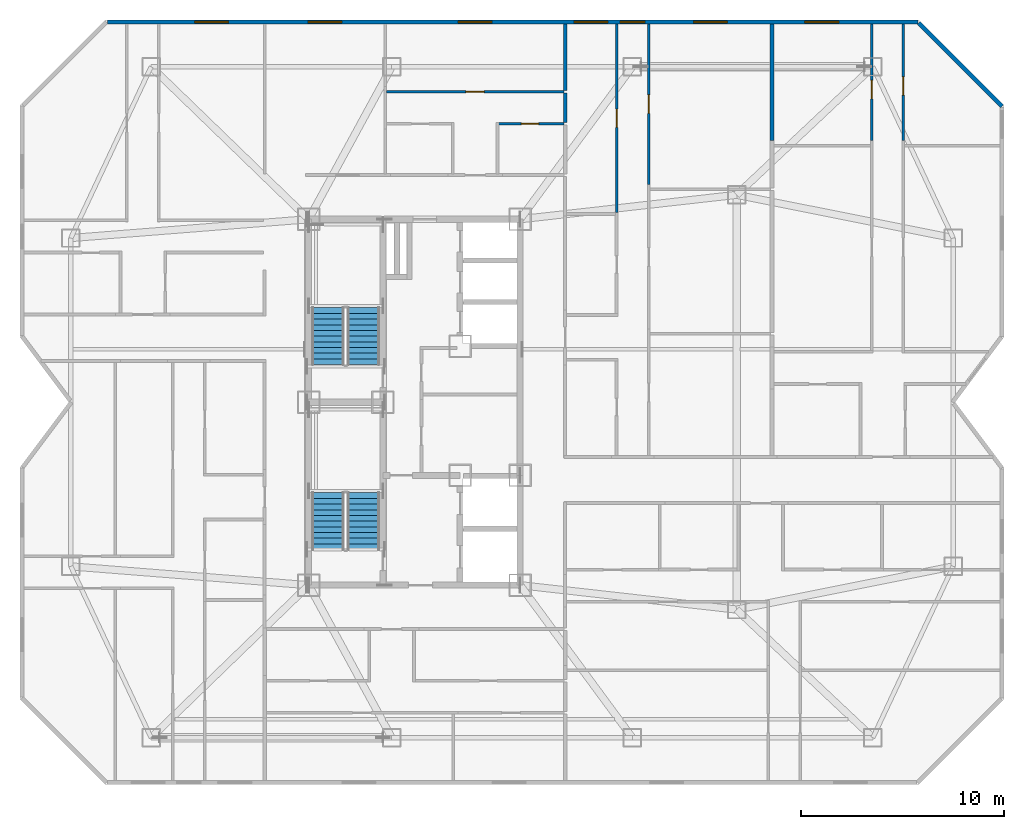
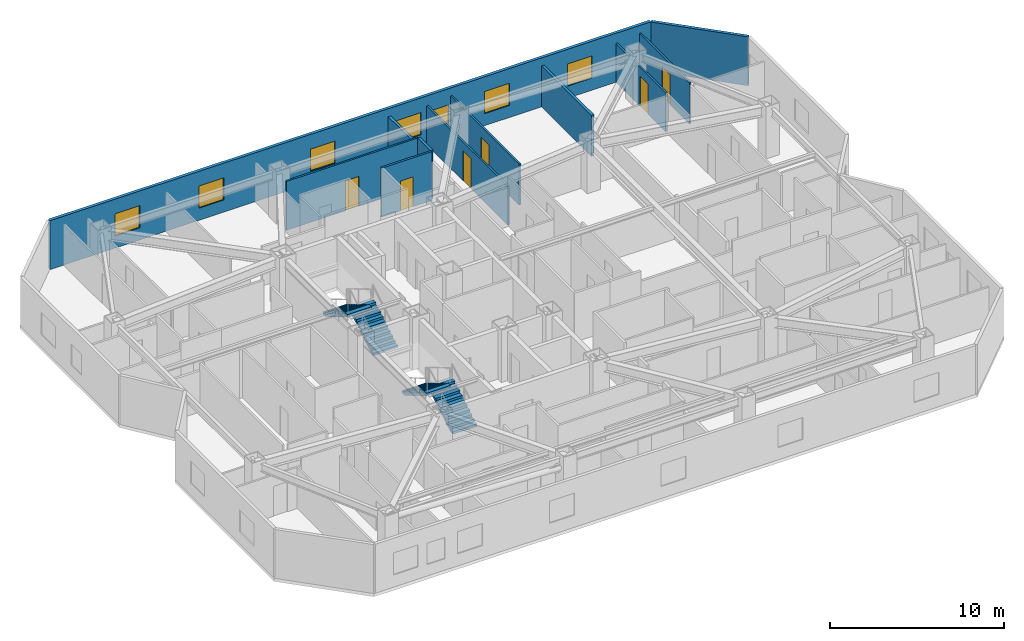
# One storey, part 10 of 11: 11 walls, 7 windows, 6 doors, 4 stair flights, 13 openings, 2 elements without a shape of their own.
"""IFC4 building model written with IfcOpenShell, lengths in metres."""

from ifc_helpers import new_model, si_unit, direction, frame, frame_2d, origin, place, context, subcontext, project, spatial, polyline, rectangle, outline, extrude, material, layer, layer_set, type_object, element, fill, aggregate, save


model = new_model("IFC4")

# Units and contexts
model_context = context("Model", 3, precision=1e-05, world=origin(), true_north=direction((0.0, 1.0)))
body_context = subcontext(model_context, "Body", "Model", "MODEL_VIEW")
ifc_project = project(units=[si_unit("LENGTHUNIT", "METRE"), si_unit("AREAUNIT", "SQUARE_METRE"), si_unit("VOLUMEUNIT", "CUBIC_METRE"), si_unit("PLANEANGLEUNIT", "RADIAN"), si_unit("MASSUNIT", "GRAM", prefix="KILO")], contexts=[model_context])

# Site, building, storey
site_placement = place(None, origin())
site = spatial("IfcSite", under=ifc_project, at=site_placement, CompositionType="ELEMENT")
building_placement = place(site_placement, origin())
building = spatial("IfcBuilding", under=site, at=building_placement, Name="Khamvora Tower", CompositionType="ELEMENT")
storey_placement = place(building_placement, frame((0.0, 0.0, 185.10009765625)))
storey = spatial("IfcBuildingStorey", under=building, at=storey_placement, Name="L47", CompositionType="ELEMENT", Elevation=185.10009765625)

# Walls
ifc_material_1 = material(Name="Acoustic Double-Stud Fire Wall", Category="gypsum")
ifc_layer_1 = layer(ifc_material_1, 0.179931640625)
ifc_layer_set_1 = layer_set([ifc_layer_1], Name="Acoustic Double-Stud Fire Wall")
wall_type_1 = type_object("IfcWallType", Name="WAL-CORR-180", PredefinedType="STANDARD", material=ifc_layer_set_1)
wall_1_placement = place(storey_placement, frame((41.614990234375, 43.2099609375, 0.0), z_axis=(0.0, 0.0, 1.0), x_axis=(0.0, -1.0, 0.0)))
element("IfcWall", 1, at=wall_1_placement, inside=storey, type_object=wall_type_1, Name="L47 interior partition wall 087", PredefinedType="STANDARD", context=body_context, shape_type="SweptSolid", body=[
    extrude(rectangle(XDim=1.449951171875, YDim=0.179931640625, at=frame_2d((0.72509765625, 0.0))), origin(), (0.0, 0.0, 1.0), 3.429931640625),
])
wall_2_placement = place(storey_placement, frame((41.614990234375, 46.60791015625, 0.0), z_axis=(0.0, 0.0, 1.0), x_axis=(0.0, -1.0, 0.0)))
element("IfcWall", 2, at=wall_2_placement, inside=storey, type_object=wall_type_1, Name="L47 interior partition wall 089", PredefinedType="STANDARD", context=body_context, shape_type="SweptSolid", body=[
    extrude(rectangle(XDim=3.267822265625, YDim=0.179931640625, at=frame_2d((1.6337890625, 0.0))), origin(), (0.0, 0.0, 1.0), 2.8759765625),
])
wall_3_placement = place(storey_placement, frame((51.784912109375, 46.60791015625, 0.0), z_axis=(0.0, 0.0, 1.0), x_axis=(0.0, -1.0, 0.0)))
element("IfcWall", 3, at=wall_3_placement, inside=storey, type_object=wall_type_1, Name="L47 interior partition wall 122", PredefinedType="STANDARD", context=body_context, shape_type="SweptSolid", body=[
    extrude(rectangle(XDim=5.739990234375, YDim=0.179931640625, at=frame_2d((2.8701171875, 0.0))), origin(), (0.0, 0.0, 1.0), 2.8759765625),
])

# Wall, openings, windows
ifc_material_2 = material(Name="Precast concrete C40/50", Category="concrete")
ifc_layer_2 = layer(ifc_material_2, 0.199951171875)
ifc_layer_set_2 = layer_set([ifc_layer_2], Name="Precast concrete C40/50")
wall_type_2 = type_object("IfcWallType", Name="WAL-EXT-200", PredefinedType="STANDARD", material=ifc_layer_set_2)
wall_4_placement = place(storey_placement, frame((19.10205078125, 46.699951171875, 0.0), z_axis=(0.0, 0.0, 1.0), x_axis=(1.0, 0.0, 0.0)))
wall_4 = element("IfcWall", 4, at=wall_4_placement, inside=storey, type_object=wall_type_2, Name="L47 exterior facade wall 07.1", PredefinedType="STANDARD", context=body_context, shape_type="SweptSolid", body=[
    extrude(rectangle(XDim=39.85693359375, YDim=0.199951171875, at=frame_2d((19.928466796875, 0.0))), origin(), (0.0, 0.0, 1.0), 3.429931640625),
])
opening_1_placement = place(wall_4_placement, frame((9.873046875, 0.0, 0.85009765625)))
opening_1 = element("IfcOpeningElement", 5, at=opening_1_placement, cuts=wall_4, Name="Opening WN-06", PredefinedType="OPENING", context=body_context, shape_type="SweptSolid", body=[
    extrude(rectangle(XDim=1.64990234375, YDim=1.550048828125, at=frame_2d((0.824951171875, 0.77490234375))), frame((0.0, 0.10986328125, 0.0), z_axis=(0.0, -1.0, 0.0), x_axis=(1.0, 0.0, 0.0)), (0.0, 0.0, 1.0), 0.219970703125),
])
opening_2_placement = place(wall_4_placement, frame((4.302978515625, 0.0, 0.85009765625)))
opening_2 = element("IfcOpeningElement", 6, at=opening_2_placement, cuts=wall_4, Name="Opening WN-06", PredefinedType="OPENING", context=body_context, shape_type="SweptSolid", body=[
    extrude(rectangle(XDim=1.64990234375, YDim=1.550048828125, at=frame_2d((0.824951171875, 0.77490234375))), frame((0.0, 0.10986328125, 0.0), z_axis=(0.0, -1.0, 0.0), x_axis=(1.0, 0.0, 0.0)), (0.0, 0.0, 1.0), 0.219970703125),
])
opening_3_placement = place(wall_4_placement, frame((17.262939453125, 0.0, 0.85009765625)))
opening_3 = element("IfcOpeningElement", 7, at=opening_3_placement, cuts=wall_4, Name="Opening WN-06", PredefinedType="OPENING", context=body_context, shape_type="SweptSolid", body=[
    extrude(rectangle(XDim=1.64990234375, YDim=1.550048828125, at=frame_2d((0.824951171875, 0.77490234375))), frame((0.0, 0.10986328125, 0.0), z_axis=(0.0, -1.0, 0.0), x_axis=(1.0, 0.0, 0.0)), (0.0, 0.0, 1.0), 0.219970703125),
])
opening_4_placement = place(wall_4_placement, frame((22.952880859375, 0.0, 0.85009765625)))
opening_4 = element("IfcOpeningElement", 8, at=opening_4_placement, cuts=wall_4, Name="Opening WN-06", PredefinedType="OPENING", context=body_context, shape_type="SweptSolid", body=[
    extrude(rectangle(XDim=1.64990234375, YDim=1.550048828125, at=frame_2d((0.824951171875, 0.77490234375))), frame((0.0, 0.10986328125, 0.0), z_axis=(0.0, -1.0, 0.0), x_axis=(1.0, 0.0, 0.0)), (0.0, 0.0, 1.0), 0.219970703125),
])
opening_5_placement = place(wall_4_placement, frame((25.23291015625, 0.0, 0.800048828125)))
opening_5 = element("IfcOpeningElement", 9, at=opening_5_placement, cuts=wall_4, Name="Opening WN-03", PredefinedType="OPENING", context=body_context, shape_type="SweptSolid", body=[
    extrude(rectangle(XDim=1.199951171875, YDim=1.5, at=frame_2d((0.60009765625, 0.75))), frame((0.0, 0.10986328125, 0.0), z_axis=(0.0, -1.0, 0.0), x_axis=(1.0, 0.0, 0.0)), (0.0, 0.0, 1.0), 0.219970703125),
])
opening_6_placement = place(wall_4_placement, frame((28.827880859375, 0.0, 0.85009765625)))
opening_6 = element("IfcOpeningElement", 10, at=opening_6_placement, cuts=wall_4, Name="Opening WN-06", PredefinedType="OPENING", context=body_context, shape_type="SweptSolid", body=[
    extrude(rectangle(XDim=1.64990234375, YDim=1.550048828125, at=frame_2d((0.824951171875, 0.77490234375))), frame((0.0, 0.10986328125, 0.0), z_axis=(0.0, -1.0, 0.0), x_axis=(1.0, 0.0, 0.0)), (0.0, 0.0, 1.0), 0.219970703125),
])
opening_7_placement = place(wall_4_placement, frame((34.30810546875, 0.0, 0.85009765625)))
opening_7 = element("IfcOpeningElement", 11, at=opening_7_placement, cuts=wall_4, Name="Opening WN-06", PredefinedType="OPENING", context=body_context, shape_type="SweptSolid", body=[
    extrude(rectangle(XDim=1.64990234375, YDim=1.550048828125, at=frame_2d((0.824951171875, 0.77490234375))), frame((0.0, 0.10986328125, 0.0), z_axis=(0.0, -1.0, 0.0), x_axis=(1.0, 0.0, 0.0)), (0.0, 0.0, 1.0), 0.219970703125),
])
ifc_material_3 = material(Name="Low-E Laminated Double Glazing", Category="glass")
window_type_1 = type_object("IfcWindowType", Name="WIN-VIS-1200x1500", PartitioningType="SINGLE_PANEL", PredefinedType="WINDOW", material=ifc_material_3)
window_1_placement = place(opening_5_placement, origin())
window_1 = element("IfcWindow", 12, at=window_1_placement, inside=storey, type_object=window_type_1, Name="L47 vision window 07.1.05", OverallHeight=1.5, OverallWidth=1.199951171875, PartitioningType="SINGLE_PANEL", PredefinedType="WINDOW", context=body_context, shape_type="SweptSolid", body=[
    extrude(rectangle(XDim=1.199951171875, YDim=1.5, at=frame_2d((0.60009765625, 0.75))), frame((0.0, 0.030029296875, 0.0), z_axis=(0.0, -1.0, 0.0), x_axis=(1.0, 0.0, 0.0)), (0.0, 0.0, 1.0), 0.06005859375),
])
fill(opening_5, window_1)
window_type_2 = type_object("IfcWindowType", Name="WIN-VIS-1650x1550", PartitioningType="SINGLE_PANEL", PredefinedType="WINDOW", material=ifc_material_3)
window_2_placement = place(opening_1_placement, origin())
window_2 = element("IfcWindow", 13, at=window_2_placement, inside=storey, type_object=window_type_2, Name="L47 vision window 07.1.01", OverallHeight=1.550048828125, OverallWidth=1.64990234375, PartitioningType="SINGLE_PANEL", PredefinedType="WINDOW", context=body_context, shape_type="SweptSolid", body=[
    extrude(rectangle(XDim=1.64990234375, YDim=1.550048828125, at=frame_2d((0.824951171875, 0.77490234375))), frame((0.0, 0.030029296875, 0.0), z_axis=(0.0, -1.0, 0.0), x_axis=(1.0, 0.0, 0.0)), (0.0, 0.0, 1.0), 0.06005859375),
])
fill(opening_1, window_2)
window_3_placement = place(opening_2_placement, origin())
window_3 = element("IfcWindow", 14, at=window_3_placement, inside=storey, type_object=window_type_2, Name="L47 vision window 07.1.02", OverallHeight=1.550048828125, OverallWidth=1.64990234375, PartitioningType="SINGLE_PANEL", PredefinedType="WINDOW", context=body_context, shape_type="SweptSolid", body=[
    extrude(rectangle(XDim=1.64990234375, YDim=1.550048828125, at=frame_2d((0.824951171875, 0.77490234375))), frame((0.0, 0.030029296875, 0.0), z_axis=(0.0, -1.0, 0.0), x_axis=(1.0, 0.0, 0.0)), (0.0, 0.0, 1.0), 0.06005859375),
])
fill(opening_2, window_3)
window_4_placement = place(opening_3_placement, origin())
window_4 = element("IfcWindow", 15, at=window_4_placement, inside=storey, type_object=window_type_2, Name="L47 vision window 07.1.03", OverallHeight=1.550048828125, OverallWidth=1.64990234375, PartitioningType="SINGLE_PANEL", PredefinedType="WINDOW", context=body_context, shape_type="SweptSolid", body=[
    extrude(rectangle(XDim=1.64990234375, YDim=1.550048828125, at=frame_2d((0.824951171875, 0.77490234375))), frame((0.0, 0.030029296875, 0.0), z_axis=(0.0, -1.0, 0.0), x_axis=(1.0, 0.0, 0.0)), (0.0, 0.0, 1.0), 0.06005859375),
])
fill(opening_3, window_4)
window_5_placement = place(opening_4_placement, origin())
window_5 = element("IfcWindow", 16, at=window_5_placement, inside=storey, type_object=window_type_2, Name="L47 vision window 07.1.04", OverallHeight=1.550048828125, OverallWidth=1.64990234375, PartitioningType="SINGLE_PANEL", PredefinedType="WINDOW", context=body_context, shape_type="SweptSolid", body=[
    extrude(rectangle(XDim=1.64990234375, YDim=1.550048828125, at=frame_2d((0.824951171875, 0.77490234375))), frame((0.0, 0.030029296875, 0.0), z_axis=(0.0, -1.0, 0.0), x_axis=(1.0, 0.0, 0.0)), (0.0, 0.0, 1.0), 0.06005859375),
])
fill(opening_4, window_5)
window_6_placement = place(opening_6_placement, origin())
window_6 = element("IfcWindow", 17, at=window_6_placement, inside=storey, type_object=window_type_2, Name="L47 vision window 07.1.06", OverallHeight=1.550048828125, OverallWidth=1.64990234375, PartitioningType="SINGLE_PANEL", PredefinedType="WINDOW", context=body_context, shape_type="SweptSolid", body=[
    extrude(rectangle(XDim=1.64990234375, YDim=1.550048828125, at=frame_2d((0.824951171875, 0.77490234375))), frame((0.0, 0.030029296875, 0.0), z_axis=(0.0, -1.0, 0.0), x_axis=(1.0, 0.0, 0.0)), (0.0, 0.0, 1.0), 0.06005859375),
])
fill(opening_6, window_6)
window_7_placement = place(opening_7_placement, origin())
window_7 = element("IfcWindow", 18, at=window_7_placement, inside=storey, type_object=window_type_2, Name="L47 vision window 07.1.07", OverallHeight=1.550048828125, OverallWidth=1.64990234375, PartitioningType="SINGLE_PANEL", PredefinedType="WINDOW", context=body_context, shape_type="SweptSolid", body=[
    extrude(rectangle(XDim=1.64990234375, YDim=1.550048828125, at=frame_2d((0.824951171875, 0.77490234375))), frame((0.0, 0.030029296875, 0.0), z_axis=(0.0, -1.0, 0.0), x_axis=(1.0, 0.0, 0.0)), (0.0, 0.0, 1.0), 0.06005859375),
])
fill(opening_7, window_7)

# Wall
wall_5_placement = place(storey_placement, frame((59.0029296875, 46.656005859375, 0.0), z_axis=(0.0, 0.0, 1.0), x_axis=(0.707127848917, -0.707085712828, 0.0)))
element("IfcWall", 19, at=wall_5_placement, inside=storey, type_object=wall_type_2, Name="L47 exterior facade wall 08.1", PredefinedType="STANDARD", context=body_context, shape_type="SweptSolid", body=[
    extrude(rectangle(XDim=5.794189453125, YDim=0.199951171875, at=frame_2d((2.89697265625, 0.0))), origin(), (0.0, 0.0, 1.0), 3.429931640625),
])

# Wall, opening, door
ifc_material_4 = material(Name="Gypsum Plasterboard Partition", Category="gypsum")
ifc_layer_3 = layer(ifc_material_4, 0.1201171875)
ifc_layer_set_3 = layer_set([ifc_layer_3], Name="Gypsum Plasterboard Partition")
wall_type_3 = type_object("IfcWallType", Name="WAL-PART-120", PredefinedType="PARTITIONING", material=ifc_layer_set_3)
wall_6_placement = place(storey_placement, frame((32.819091796875, 43.27490234375, 0.0), z_axis=(0.0, 0.0, 1.0), x_axis=(1.0, 0.0, 0.0)))
wall_6 = element("IfcWall", 20, at=wall_6_placement, inside=storey, type_object=wall_type_3, Name="L47 interior partition wall 086", PredefinedType="PARTITIONING", context=body_context, shape_type="SweptSolid", body=[
    extrude(rectangle(XDim=8.73095703125, YDim=0.1201171875, at=frame_2d((4.365478515625, 0.0))), origin(), (0.0, 0.0, 1.0), 3.429931640625),
])
opening_8_placement = place(wall_6_placement, frame((3.9150390625, 0.0, 0.0)))
opening_8 = element("IfcOpeningElement", 21, at=opening_8_placement, cuts=wall_6, Name="Opening D-RM1", PredefinedType="OPENING", context=body_context, shape_type="SweptSolid", body=[
    extrude(rectangle(XDim=0.89990234375, YDim=2.10009765625, at=frame_2d((0.449951171875, 1.050048828125))), frame((0.0, 0.070068359375, 0.0), z_axis=(0.0, -1.0, 0.0), x_axis=(1.0, 0.0, 0.0)), (0.0, 0.0, 1.0), 0.14013671875),
])
ifc_material_5 = material(Name="Powder-Coated Steel and Hardwood Leaf", Category="steel")
door_type_1 = type_object("IfcDoorType", Name="DOR-ROOM-900", OperationType="NOTDEFINED", PredefinedType="DOOR", material=ifc_material_5)
door_1_placement = place(opening_8_placement, origin())
door_1 = element("IfcDoor", 22, at=door_1_placement, inside=storey, type_object=door_type_1, Name="L47 interior door 47NAH-47NAR1", OperationType="SINGLE_SWING_RIGHT", OverallHeight=2.10009765625, OverallWidth=0.89990234375, PredefinedType="DOOR", context=body_context, shape_type="SweptSolid", body=[
    extrude(rectangle(XDim=0.89990234375, YDim=2.10009765625, at=frame_2d((0.449951171875, 1.050048828125))), frame((0.0, 0.02490234375, 0.0), z_axis=(0.0, -1.0, 0.0), x_axis=(1.0, 0.0, 0.0)), (0.0, 0.0, 1.0), 0.050048828125),
])
fill(opening_8, door_1)

wall_7_placement = place(storey_placement, frame((44.14501953125, 46.60791015625, 0.0), z_axis=(0.0, 0.0, 1.0), x_axis=(0.0, -1.0, 0.0)))
wall_7 = element("IfcWall", 23, at=wall_7_placement, inside=storey, type_object=wall_type_3, Name="L47 interior partition wall 106", PredefinedType="PARTITIONING", context=body_context, shape_type="SweptSolid", body=[
    extrude(rectangle(XDim=9.286865234375, YDim=0.1201171875, at=frame_2d((4.6435546875, 0.0))), origin(), (0.0, 0.0, 1.0), 2.724853515625),
])
opening_9_placement = place(wall_7_placement, frame((4.194091796875, 0.0, 0.0)))
opening_9 = element("IfcOpeningElement", 24, at=opening_9_placement, cuts=wall_7, Name="Opening D-RM1", PredefinedType="OPENING", context=body_context, shape_type="SweptSolid", body=[
    extrude(rectangle(XDim=0.89990234375, YDim=2.10009765625, at=frame_2d((0.449951171875, 1.050048828125))), frame((0.0, 0.070068359375, 0.0), z_axis=(0.0, -1.0, 0.0), x_axis=(1.0, 0.0, 0.0)), (0.0, 0.0, 1.0), 0.14013671875),
])
door_2_placement = place(opening_9_placement, origin())
door_2 = element("IfcDoor", 25, at=door_2_placement, inside=storey, type_object=door_type_1, Name="L47 interior door 47EBW2-47EBH", OperationType="SINGLE_SWING_LEFT", OverallHeight=2.10009765625, OverallWidth=0.89990234375, PredefinedType="DOOR", context=body_context, shape_type="SweptSolid", body=[
    extrude(rectangle(XDim=0.89990234375, YDim=2.10009765625, at=frame_2d((0.449951171875, 1.050048828125))), frame((0.0, 0.02490234375, 0.0), z_axis=(0.0, -1.0, 0.0), x_axis=(1.0, 0.0, 0.0)), (0.0, 0.0, 1.0), 0.050048828125),
])
fill(opening_9, door_2)

wall_8_placement = place(storey_placement, frame((45.72509765625, 46.60791015625, 0.0), z_axis=(0.0, 0.0, 1.0), x_axis=(0.0, -1.0, 0.0)))
wall_8 = element("IfcWall", 26, at=wall_8_placement, inside=storey, type_object=wall_type_3, Name="L47 interior partition wall 114", PredefinedType="PARTITIONING", context=body_context, shape_type="SweptSolid", body=[
    extrude(rectangle(XDim=7.890869140625, YDim=0.1201171875, at=frame_2d((3.9453125, 0.0))), origin(), (0.0, 0.0, 1.0), 2.8759765625),
])
opening_10_placement = place(wall_8_placement, frame((3.4951171875, 0.0, 0.0)))
opening_10 = element("IfcOpeningElement", 27, at=opening_10_placement, cuts=wall_8, Name="Opening D-RM1", PredefinedType="OPENING", context=body_context, shape_type="SweptSolid", body=[
    extrude(rectangle(XDim=0.89990234375, YDim=2.10009765625, at=frame_2d((0.449951171875, 1.050048828125))), frame((0.0, 0.070068359375, 0.0), z_axis=(0.0, -1.0, 0.0), x_axis=(1.0, 0.0, 0.0)), (0.0, 0.0, 1.0), 0.14013671875),
])
door_3_placement = place(opening_10_placement, origin())
door_3 = element("IfcDoor", 28, at=door_3_placement, inside=storey, type_object=door_type_1, Name="L47 interior door 47EBH-47EBR3", OperationType="SINGLE_SWING_RIGHT", OverallHeight=2.10009765625, OverallWidth=0.89990234375, PredefinedType="DOOR", context=body_context, shape_type="SweptSolid", body=[
    extrude(rectangle(XDim=0.89990234375, YDim=2.10009765625, at=frame_2d((0.449951171875, 1.050048828125))), frame((0.0, 0.02490234375, 0.0), z_axis=(0.0, -1.0, 0.0), x_axis=(1.0, 0.0, 0.0)), (0.0, 0.0, 1.0), 0.050048828125),
])
fill(opening_10, door_3)

wall_9_placement = place(storey_placement, frame((56.68505859375, 40.867919921875, 0.0), z_axis=(0.0, 0.0, 1.0), x_axis=(0.0, 1.0, 0.0)))
wall_9 = element("IfcWall", 29, at=wall_9_placement, inside=storey, type_object=wall_type_3, Name="L47 interior partition wall 129", PredefinedType="PARTITIONING", context=body_context, shape_type="SweptSolid", body=[
    extrude(rectangle(XDim=5.739990234375, YDim=0.1201171875, at=frame_2d((2.8701171875, 0.0))), origin(), (0.0, 0.0, 1.0), 2.724853515625),
])
opening_11_placement = place(wall_9_placement, frame((2.05810546875, 0.0, 0.0)))
opening_11 = element("IfcOpeningElement", 30, at=opening_11_placement, cuts=wall_9, Name="Opening D-RM1", PredefinedType="OPENING", context=body_context, shape_type="SweptSolid", body=[
    extrude(rectangle(XDim=0.89990234375, YDim=2.10009765625, at=frame_2d((0.449951171875, 1.050048828125))), frame((0.0, 0.070068359375, 0.0), z_axis=(0.0, -1.0, 0.0), x_axis=(1.0, 0.0, 0.0)), (0.0, 0.0, 1.0), 0.14013671875),
])
door_4_placement = place(opening_11_placement, origin())
door_4 = element("IfcDoor", 31, at=door_4_placement, inside=storey, type_object=door_type_1, Name="L47 interior door 47ECH-47ECR2", OperationType="SINGLE_SWING_LEFT", OverallHeight=2.10009765625, OverallWidth=0.89990234375, PredefinedType="DOOR", context=body_context, shape_type="SweptSolid", body=[
    extrude(rectangle(XDim=0.89990234375, YDim=2.10009765625, at=frame_2d((0.449951171875, 1.050048828125))), frame((0.0, 0.02490234375, 0.0), z_axis=(0.0, -1.0, 0.0), x_axis=(1.0, 0.0, 0.0)), (0.0, 0.0, 1.0), 0.050048828125),
])
fill(opening_11, door_4)

wall_10_placement = place(storey_placement, frame((58.2548828125, 46.60791015625, 0.0), z_axis=(0.0, 0.0, 1.0), x_axis=(0.0, -1.0, 0.0)))
wall_10 = element("IfcWall", 32, at=wall_10_placement, inside=storey, type_object=wall_type_3, Name="L47 interior partition wall 132", PredefinedType="PARTITIONING", context=body_context, shape_type="SweptSolid", body=[
    extrude(rectangle(XDim=5.739990234375, YDim=0.1201171875, at=frame_2d((2.8701171875, 0.0))), origin(), (0.0, 0.0, 1.0), 2.8759765625),
])
opening_12_placement = place(wall_10_placement, frame((2.60107421875, 0.0, 0.0)))
opening_12 = element("IfcOpeningElement", 33, at=opening_12_placement, cuts=wall_10, Name="Opening D-RM1", PredefinedType="OPENING", context=body_context, shape_type="SweptSolid", body=[
    extrude(rectangle(XDim=0.89990234375, YDim=2.10009765625, at=frame_2d((0.449951171875, 1.050048828125))), frame((0.0, 0.070068359375, 0.0), z_axis=(0.0, -1.0, 0.0), x_axis=(1.0, 0.0, 0.0)), (0.0, 0.0, 1.0), 0.14013671875),
])
door_5_placement = place(opening_12_placement, origin())
door_5 = element("IfcDoor", 34, at=door_5_placement, inside=storey, type_object=door_type_1, Name="L47 interior door 47ECH-47ECR4", OperationType="SINGLE_SWING_LEFT", OverallHeight=2.10009765625, OverallWidth=0.89990234375, PredefinedType="DOOR", context=body_context, shape_type="SweptSolid", body=[
    extrude(rectangle(XDim=0.89990234375, YDim=2.10009765625, at=frame_2d((0.449951171875, 1.050048828125))), frame((0.0, 0.02490234375, 0.0), z_axis=(0.0, -1.0, 0.0), x_axis=(1.0, 0.0, 0.0)), (0.0, 0.0, 1.0), 0.050048828125),
])
fill(opening_12, door_5)

ifc_material_6 = material(Name="Moisture-Resistant Plasterboard Partition", Category="gypsum")
ifc_layer_4 = layer(ifc_material_6, 0.135009765625)
ifc_layer_set_4 = layer_set([ifc_layer_4], Name="Moisture-Resistant Plasterboard Partition")
wall_type_4 = type_object("IfcWallType", Name="WAL-WET-135", PredefinedType="PARTITIONING", material=ifc_layer_set_4)
wall_11_placement = place(storey_placement, frame((41.550048828125, 41.695068359375, 0.0), z_axis=(0.0, 0.0, 1.0), x_axis=(-1.0, 0.0, 0.0)))
wall_11 = element("IfcWall", 35, at=wall_11_placement, inside=storey, type_object=wall_type_4, Name="L47 interior partition wall 084", PredefinedType="PARTITIONING", context=body_context, shape_type="SweptSolid", body=[
    extrude(rectangle(XDim=3.324951171875, YDim=0.135009765625, at=frame_2d((1.66259765625, 0.0))), origin(), (0.0, 0.0, 1.0), 3.429931640625),
])
opening_13_placement = place(wall_11_placement, frame((1.238037109375, 0.0, 0.0)))
opening_13 = element("IfcOpeningElement", 36, at=opening_13_placement, cuts=wall_11, Name="Opening D-RM2", PredefinedType="OPENING", context=body_context, shape_type="SweptSolid", body=[
    extrude(rectangle(XDim=0.85009765625, YDim=2.10009765625, at=frame_2d((0.425048828125, 1.050048828125))), frame((0.0, 0.077392578125, 0.0), z_axis=(0.0, -1.0, 0.0), x_axis=(1.0, 0.0, 0.0)), (0.0, 0.0, 1.0), 0.155029296875),
])
door_type_2 = type_object("IfcDoorType", Name="DOR-ROOM-850", OperationType="NOTDEFINED", PredefinedType="DOOR", material=ifc_material_5)
door_6_placement = place(opening_13_placement, origin())
door_6 = element("IfcDoor", 37, at=door_6_placement, inside=storey, type_object=door_type_2, Name="L47 interior door 47NAH-47NAK", OperationType="SINGLE_SWING_LEFT", OverallHeight=2.10009765625, OverallWidth=0.85009765625, PredefinedType="DOOR", context=body_context, shape_type="SweptSolid", body=[
    extrude(rectangle(XDim=0.85009765625, YDim=2.10009765625, at=frame_2d((0.425048828125, 1.050048828125))), frame((0.0, 0.02490234375, 0.0), z_axis=(0.0, -1.0, 0.0), x_axis=(1.0, 0.0, 0.0)), (0.0, 0.0, 1.0), 0.050048828125),
])
fill(opening_13, door_6)

# Stair, stair flights
ifc_material_7 = material(Name="Concrete C40/50", Category="concrete")
stair_type_1 = type_object("IfcStairType", Name="STR-ST-01", PredefinedType="HALF_TURN_STAIR", material=ifc_material_7)
stair_1_placement = place(storey_placement, origin())
stair_1 = element("IfcStair", 38, at=stair_1_placement, inside=storey, type_object=stair_type_1, Name="L47 South Tower Exit Stair ST-01", PredefinedType="HALF_TURN_STAIR")
stair_flight_type_1 = type_object("IfcStairFlightType", Name="STF-ST-01", PredefinedType="STRAIGHT", material=ifc_material_7)
stair_flight_1_placement = place(storey_placement, frame((31.699951171875, 20.75, 0.0), z_axis=(0.0, 0.0, 1.0), x_axis=(0.0, 1.0, 0.0)))
stair_flight_1 = element("IfcStairFlight", 39, at=stair_flight_1_placement, type_object=stair_flight_type_1, Name="ST-01 flight 1", NumberOfRisers=11, NumberOfTreads=10, PredefinedType="STRAIGHT", RiserHeight=0.165909091, TreadLength=0.28, context=body_context, shape_type="SweptSolid", body=[
    extrude(outline(polyline([(0.0, 0.0), (0.0, 0.166015625), (0.280029296875, 0.166015625), (0.280029296875, 0.331787109375), (0.56005859375, 0.331787109375), (0.56005859375, 0.497802734375), (0.840087890625, 0.497802734375), (0.840087890625, 0.66357421875), (1.1201171875, 0.66357421875), (1.1201171875, 0.82958984375), (1.39990234375, 0.82958984375), (1.39990234375, 0.995361328125), (1.679931640625, 0.995361328125), (1.679931640625, 1.161376953125), (1.9599609375, 1.161376953125), (1.9599609375, 1.327392578125), (2.239990234375, 1.327392578125), (2.239990234375, 1.4931640625), (2.52001953125, 1.4931640625), (2.52001953125, 1.6591796875), (2.800048828125, 1.6591796875), (2.800048828125, 1.824951171875), (2.800048828125, 1.48486328125), (0.2939453125, 0.0), (0.0, 0.0)])), frame((0.0, 0.800048828125, 0.0), z_axis=(0.0, -1.0, 0.0), x_axis=(1.0, 0.0, 0.0)), (0.0, 0.0, 1.0), 1.60009765625),
])
stair_flight_2_placement = place(storey_placement, frame((29.949951171875, 23.550048828125, 1.824951171875), z_axis=(0.0, 0.0, 1.0), x_axis=(0.0, -1.0, 0.0)))
stair_flight_2 = element("IfcStairFlight", 40, at=stair_flight_2_placement, type_object=stair_flight_type_1, Name="ST-01 flight 2", NumberOfRisers=11, NumberOfTreads=10, PredefinedType="STRAIGHT", RiserHeight=0.165909091, TreadLength=0.28, context=body_context, shape_type="SweptSolid", body=[
    extrude(outline(polyline([(0.0, 0.0), (0.0, 0.166015625), (0.280029296875, 0.166015625), (0.280029296875, 0.331787109375), (0.56005859375, 0.331787109375), (0.56005859375, 0.497802734375), (0.840087890625, 0.497802734375), (0.840087890625, 0.66357421875), (1.1201171875, 0.66357421875), (1.1201171875, 0.82958984375), (1.39990234375, 0.82958984375), (1.39990234375, 0.995361328125), (1.679931640625, 0.995361328125), (1.679931640625, 1.161376953125), (1.9599609375, 1.161376953125), (1.9599609375, 1.327392578125), (2.239990234375, 1.327392578125), (2.239990234375, 1.4931640625), (2.52001953125, 1.4931640625), (2.52001953125, 1.6591796875), (2.800048828125, 1.6591796875), (2.800048828125, 1.824951171875), (2.800048828125, 1.48486328125), (0.2939453125, 0.0), (0.0, 0.0)])), frame((0.0, 0.800048828125, 0.0), z_axis=(0.0, -1.0, 0.0), x_axis=(1.0, 0.0, 0.0)), (0.0, 0.0, 1.0), 1.60009765625),
])
aggregate(stair_1, [stair_flight_1, stair_flight_2])

stair_type_2 = type_object("IfcStairType", Name="STR-ST-02", PredefinedType="HALF_TURN_STAIR", material=ifc_material_7)
stair_2_placement = place(storey_placement, origin())
stair_2 = element("IfcStair", 41, at=stair_2_placement, inside=storey, type_object=stair_type_2, Name="L47 North Tower Exit Stair ST-02", PredefinedType="HALF_TURN_STAIR")
stair_flight_type_2 = type_object("IfcStairFlightType", Name="STF-ST-02", PredefinedType="STRAIGHT", material=ifc_material_7)
stair_flight_3_placement = place(storey_placement, frame((31.699951171875, 29.85009765625, 0.0), z_axis=(0.0, 0.0, 1.0), x_axis=(0.0, 1.0, 0.0)))
stair_flight_3 = element("IfcStairFlight", 42, at=stair_flight_3_placement, type_object=stair_flight_type_2, Name="ST-02 flight 1", NumberOfRisers=11, NumberOfTreads=10, PredefinedType="STRAIGHT", RiserHeight=0.165909091, TreadLength=0.28, context=body_context, shape_type="SweptSolid", body=[
    extrude(outline(polyline([(0.0, 0.0), (0.0, 0.166015625), (0.280029296875, 0.166015625), (0.280029296875, 0.331787109375), (0.56005859375, 0.331787109375), (0.56005859375, 0.497802734375), (0.840087890625, 0.497802734375), (0.840087890625, 0.66357421875), (1.1201171875, 0.66357421875), (1.1201171875, 0.82958984375), (1.39990234375, 0.82958984375), (1.39990234375, 0.995361328125), (1.679931640625, 0.995361328125), (1.679931640625, 1.161376953125), (1.9599609375, 1.161376953125), (1.9599609375, 1.327392578125), (2.239990234375, 1.327392578125), (2.239990234375, 1.4931640625), (2.52001953125, 1.4931640625), (2.52001953125, 1.6591796875), (2.800048828125, 1.6591796875), (2.800048828125, 1.824951171875), (2.800048828125, 1.48486328125), (0.2939453125, 0.0), (0.0, 0.0)])), frame((0.0, 0.800048828125, 0.0), z_axis=(0.0, -1.0, 0.0), x_axis=(1.0, 0.0, 0.0)), (0.0, 0.0, 1.0), 1.60009765625),
])
stair_flight_4_placement = place(storey_placement, frame((29.949951171875, 32.64990234375, 1.824951171875), z_axis=(0.0, 0.0, 1.0), x_axis=(0.0, -1.0, 0.0)))
stair_flight_4 = element("IfcStairFlight", 43, at=stair_flight_4_placement, type_object=stair_flight_type_2, Name="ST-02 flight 2", NumberOfRisers=11, NumberOfTreads=10, PredefinedType="STRAIGHT", RiserHeight=0.165909091, TreadLength=0.28, context=body_context, shape_type="SweptSolid", body=[
    extrude(outline(polyline([(0.0, 0.0), (0.0, 0.166015625), (0.280029296875, 0.166015625), (0.280029296875, 0.331787109375), (0.56005859375, 0.331787109375), (0.56005859375, 0.497802734375), (0.840087890625, 0.497802734375), (0.840087890625, 0.66357421875), (1.1201171875, 0.66357421875), (1.1201171875, 0.82958984375), (1.39990234375, 0.82958984375), (1.39990234375, 0.995361328125), (1.679931640625, 0.995361328125), (1.679931640625, 1.161376953125), (1.9599609375, 1.161376953125), (1.9599609375, 1.327392578125), (2.239990234375, 1.327392578125), (2.239990234375, 1.4931640625), (2.52001953125, 1.4931640625), (2.52001953125, 1.6591796875), (2.800048828125, 1.6591796875), (2.800048828125, 1.824951171875), (2.800048828125, 1.48486328125), (0.2939453125, 0.0), (0.0, 0.0)])), frame((0.0, 0.800048828125, 0.0), z_axis=(0.0, -1.0, 0.0), x_axis=(1.0, 0.0, 0.0)), (0.0, 0.0, 1.0), 1.60009765625),
])
aggregate(stair_2, [stair_flight_3, stair_flight_4])

save(model, "model.ifc")
